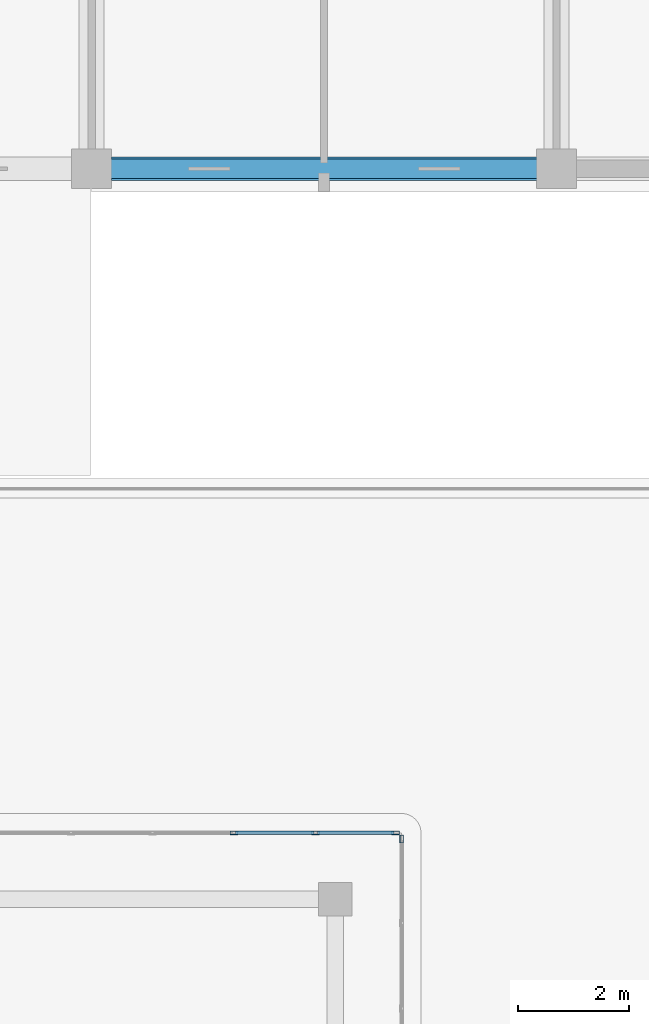
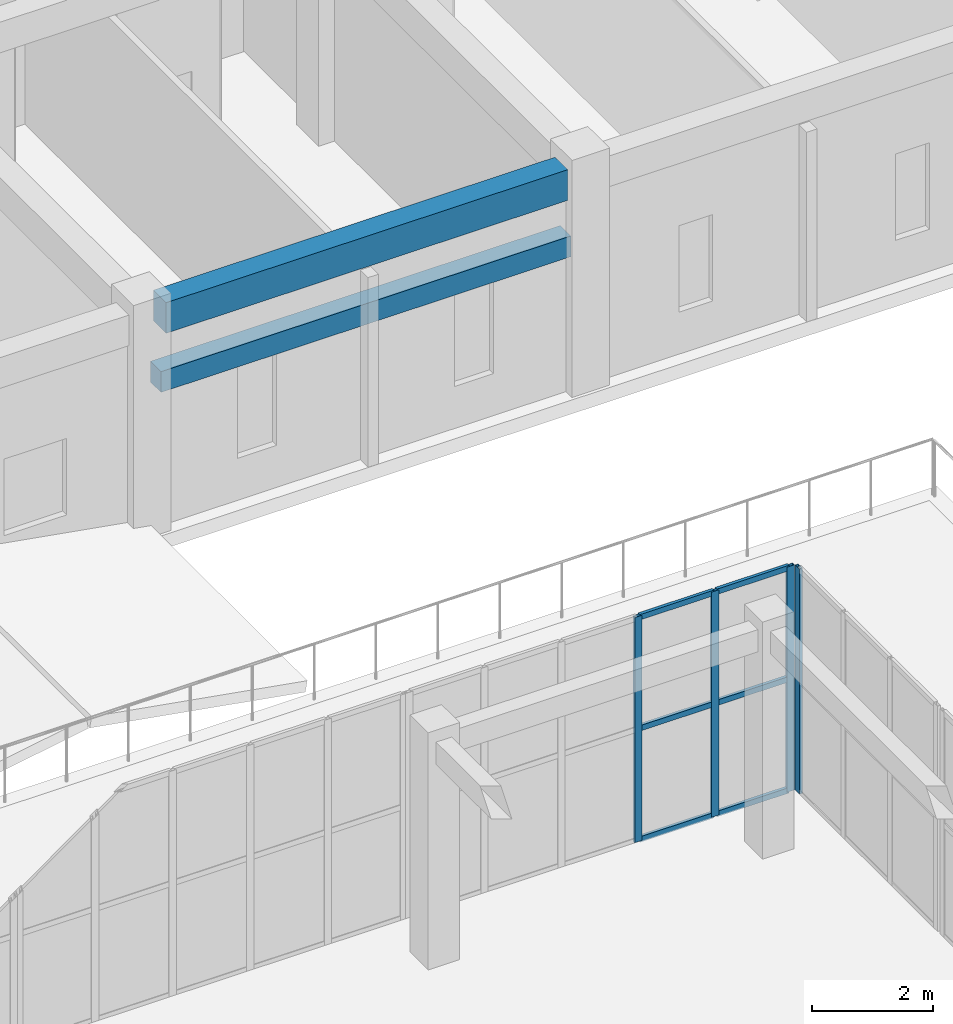
# One storey, part 85 of 158: 10 members, 2 beams, 2 elements without a shape of their own.
"""IFC4 building model written with IfcOpenShell, lengths in metres."""

from ifc_helpers import new_model, si_unit, direction, frame, origin, origin_2d, place, context, subcontext, project, spatial, rectangle, hollow_rectangle, extrude, material, layer, layer_set, material_profile, profile_set, type_object, element, aggregate, save


model = new_model("IFC4")

# Units and contexts
model_context = context("Model", 3, precision=1e-05, world=origin(), true_north=direction((0.0, 1.0)))
body_context = subcontext(model_context, "Body", "Model", "MODEL_VIEW")
ifc_project = project(units=[si_unit("LENGTHUNIT", "METRE"), si_unit("AREAUNIT", "SQUARE_METRE"), si_unit("VOLUMEUNIT", "CUBIC_METRE"), si_unit("PLANEANGLEUNIT", "RADIAN"), si_unit("MASSUNIT", "GRAM", prefix="KILO")], contexts=[model_context])

# Site, building, storey
site_placement = place(None, origin())
site = spatial("IfcSite", under=ifc_project, at=site_placement, CompositionType="ELEMENT")
building_placement = place(site_placement, origin())
building = spatial("IfcBuilding", under=site, at=building_placement, Name="Trelvath General Hospital", CompositionType="ELEMENT")
storey_placement = place(building_placement, frame((0.0, 0.0, 8.10009765625)))
storey = spatial("IfcBuildingStorey", under=building, at=storey_placement, Name="L02", CompositionType="ELEMENT", Elevation=8.10009765625)

# Beam
ifc_material_1 = material(Name="Concrete C35/45", Category="concrete")
ifc_material_profile_1 = material_profile(ifc_material_1, rectangle(XDim=0.419921875, YDim=0.6201171875, at=origin_2d()), Name="RCB420x620")
ifc_profile_set_1 = profile_set([ifc_material_profile_1], Name="Concrete C35/45")
beam_type_1 = type_object("IfcBeamType", Name="Beam RC420x620", PredefinedType="BEAM", material=ifc_profile_set_1)
beam_1_placement = place(storey_placement, frame((109.554931640625, 92.39990234375, 4.2099609375), z_axis=(1.0, 0.0, 0.0), x_axis=(0.0, 1.0, 0.0)))
element("IfcBeam", 1, at=beam_1_placement, inside=storey, type_object=beam_type_1, Name="Grid Beam BX-213L", PredefinedType="BEAM", context=body_context, shape_type="SweptSolid", body=[
    extrude(rectangle(XDim=0.419921875, YDim=0.6201171875, at=origin_2d()), origin(), (0.0, 0.0, 1.0), 7.690185546875),
])

# Curtain wall, members
ifc_material_2 = material(Name="Anodised aluminium and low-E glass", Category="aluminium")
ifc_layer_1 = layer(ifc_material_2, 0.139892578125)
ifc_layer_set_1 = layer_set([ifc_layer_1], Name="Anodised aluminium and low-E glass")
curtain_wall_type_1 = type_object("IfcCurtainWallType", Name="CW CrystalCube 737 456 14", PredefinedType="USERDEFINED", material=ifc_layer_set_1)
curtain_wall_1_placement = place(storey_placement, origin())
curtain_wall_1 = element("IfcCurtainWall", 2, at=curtain_wall_1_placement, inside=storey, type_object=curtain_wall_type_1, Name="Crystal Cube Curtain Wall CUBE-E-T1 N3 L02", ObjectType="Unitised Glazed Curtain Wall", PredefinedType="USERDEFINED")
ifc_material_3 = material(Name="Anodised aluminium", Category="aluminium")
ifc_material_profile_2 = material_profile(ifc_material_3, hollow_rectangle(XDim=0.06005859375, YDim=0.139892578125, WallThickness=0.00390625, at=origin_2d()), Name="RHS60x140x4")
ifc_profile_set_2 = profile_set([ifc_material_profile_2], Name="Anodised aluminium")
member_type_1 = type_object("IfcMemberType", Name="CurtainMullion 60x140", PredefinedType="MULLION", material=ifc_profile_set_2)
member_1_placement = place(storey_placement, frame((111.7734375, 80.39990234375, 0.0), z_axis=(0.0, 0.0, 1.0), x_axis=(0.0, 1.0, 0.0)))
member_1 = element("IfcMember", 3, at=member_1_placement, type_object=member_type_1, Name="CW-210 mullion 4", PredefinedType="MULLION", context=body_context, shape_type="SweptSolid", body=[
    extrude(hollow_rectangle(XDim=0.06005859375, YDim=0.139892578125, WallThickness=0.00390625, at=origin_2d()), origin(), (0.0, 0.0, 1.0), 4.559814453125),
])
member_2_placement = place(storey_placement, frame((113.24658203125, 80.39990234375, 0.0), z_axis=(0.0, 0.0, 1.0), x_axis=(0.0, 1.0, 0.0)))
member_2 = element("IfcMember", 4, at=member_2_placement, type_object=member_type_1, Name="CW-210 mullion 5", PredefinedType="MULLION", context=body_context, shape_type="SweptSolid", body=[
    extrude(hollow_rectangle(XDim=0.06005859375, YDim=0.139892578125, WallThickness=0.00390625, at=origin_2d()), origin(), (0.0, 0.0, 1.0), 4.559814453125),
])
member_3_placement = place(storey_placement, frame((114.68994140625, 80.39990234375, 0.0), z_axis=(0.0, 0.0, 1.0), x_axis=(0.0, 1.0, 0.0)))
member_3 = element("IfcMember", 5, at=member_3_placement, type_object=member_type_1, Name="CW-210 mullion 6", PredefinedType="MULLION", context=body_context, shape_type="SweptSolid", body=[
    extrude(hollow_rectangle(XDim=0.06005859375, YDim=0.139892578125, WallThickness=0.00390625, at=origin_2d()), origin(), (0.0, 0.0, 1.0), 4.559814453125),
])

# Curtain wall, member
ifc_material_4 = material(Name="Anodised aluminium and low-E glass", Category="aluminium")
ifc_layer_2 = layer(ifc_material_4, 0.139892578125)
ifc_layer_set_2 = layer_set([ifc_layer_2], Name="Anodised aluminium and low-E glass")
curtain_wall_type_2 = type_object("IfcCurtainWallType", Name="CW CrystalCube 464 456 14", PredefinedType="USERDEFINED", material=ifc_layer_set_2)
curtain_wall_2_placement = place(storey_placement, origin())
curtain_wall_2 = element("IfcCurtainWall", 6, at=curtain_wall_2_placement, inside=storey, type_object=curtain_wall_type_2, Name="Crystal Cube Curtain Wall CUBE-E-T1 E7 L02", ObjectType="Unitised Glazed Curtain Wall", PredefinedType="USERDEFINED")
member_4_placement = place(storey_placement, frame((114.800048828125, 80.2900390625, 0.0), z_axis=(0.0, 0.0, 1.0), x_axis=(1.0, 0.0, 0.0)))
member_4 = element("IfcMember", 7, at=member_4_placement, type_object=member_type_1, Name="CW-218 mullion 1", PredefinedType="MULLION", context=body_context, shape_type="SweptSolid", body=[
    extrude(hollow_rectangle(XDim=0.06005859375, YDim=0.139892578125, WallThickness=0.00390625, at=origin_2d()), origin(), (0.0, 0.0, 1.0), 4.559814453125),
])
aggregate(curtain_wall_2, [member_4])

# Member
ifc_material_5 = material(Name="Anodised aluminium", Category="aluminium")
ifc_material_profile_3 = material_profile(ifc_material_5, hollow_rectangle(XDim=0.06005859375, YDim=0.110107421875, WallThickness=0.00390625, at=origin_2d()), Name="RHS60x110x4")
ifc_profile_set_3 = profile_set([ifc_material_profile_3], Name="Anodised aluminium")
member_type_2 = type_object("IfcMemberType", Name="CurtainTransom 60x110", PredefinedType="USERDEFINED", material=ifc_profile_set_3)
member_5_placement = place(storey_placement, frame((111.80322265625, 80.39990234375, 0.02978515625), z_axis=(1.0, 0.0, 0.0), x_axis=(0.0, 1.0, 0.0)))
member_5 = element("IfcMember", 8, at=member_5_placement, type_object=member_type_2, Name="CW-210 transom 4.1", ObjectType="TRANSOM", PredefinedType="USERDEFINED", context=body_context, shape_type="SweptSolid", body=[
    extrude(hollow_rectangle(XDim=0.06005859375, YDim=0.110107421875, WallThickness=0.00390625, at=origin_2d()), origin(), (0.0, 0.0, 1.0), 1.413330078125),
])

member_6_placement = place(storey_placement, frame((111.80322265625, 80.39990234375, 2.27978515625), z_axis=(1.0, 0.0, 0.0), x_axis=(0.0, 1.0, 0.0)))
member_6 = element("IfcMember", 9, at=member_6_placement, type_object=member_type_2, Name="CW-210 transom 4.2", ObjectType="TRANSOM", PredefinedType="USERDEFINED", context=body_context, shape_type="SweptSolid", body=[
    extrude(hollow_rectangle(XDim=0.06005859375, YDim=0.110107421875, WallThickness=0.00390625, at=origin_2d()), origin(), (0.0, 0.0, 1.0), 1.413330078125),
])

member_7_placement = place(storey_placement, frame((111.80322265625, 80.39990234375, 4.52978515625), z_axis=(1.0, 0.0, 0.0), x_axis=(0.0, 1.0, 0.0)))
member_7 = element("IfcMember", 10, at=member_7_placement, type_object=member_type_2, Name="CW-210 transom 4.3", ObjectType="TRANSOM", PredefinedType="USERDEFINED", context=body_context, shape_type="SweptSolid", body=[
    extrude(hollow_rectangle(XDim=0.06005859375, YDim=0.110107421875, WallThickness=0.00390625, at=origin_2d()), origin(), (0.0, 0.0, 1.0), 1.413330078125),
])

member_8_placement = place(storey_placement, frame((113.276611328125, 80.39990234375, 0.02978515625), z_axis=(1.0, 0.0, 0.0), x_axis=(0.0, 1.0, 0.0)))
member_8 = element("IfcMember", 11, at=member_8_placement, type_object=member_type_2, Name="CW-210 transom 5.1", ObjectType="TRANSOM", PredefinedType="USERDEFINED", context=body_context, shape_type="SweptSolid", body=[
    extrude(hollow_rectangle(XDim=0.06005859375, YDim=0.110107421875, WallThickness=0.00390625, at=origin_2d()), origin(), (0.0, 0.0, 1.0), 1.38330078125),
])

member_9_placement = place(storey_placement, frame((113.276611328125, 80.39990234375, 2.27978515625), z_axis=(1.0, 0.0, 0.0), x_axis=(0.0, 1.0, 0.0)))
member_9 = element("IfcMember", 12, at=member_9_placement, type_object=member_type_2, Name="CW-210 transom 5.2", ObjectType="TRANSOM", PredefinedType="USERDEFINED", context=body_context, shape_type="SweptSolid", body=[
    extrude(hollow_rectangle(XDim=0.06005859375, YDim=0.110107421875, WallThickness=0.00390625, at=origin_2d()), origin(), (0.0, 0.0, 1.0), 1.38330078125),
])

member_10_placement = place(storey_placement, frame((113.276611328125, 80.39990234375, 4.52978515625), z_axis=(1.0, 0.0, 0.0), x_axis=(0.0, 1.0, 0.0)))
member_10 = element("IfcMember", 13, at=member_10_placement, type_object=member_type_2, Name="CW-210 transom 5.3", ObjectType="TRANSOM", PredefinedType="USERDEFINED", context=body_context, shape_type="SweptSolid", body=[
    extrude(hollow_rectangle(XDim=0.06005859375, YDim=0.110107421875, WallThickness=0.00390625, at=origin_2d()), origin(), (0.0, 0.0, 1.0), 1.38330078125),
])

aggregate(curtain_wall_1, [member_1, member_2, member_3, member_5, member_6, member_7, member_8, member_9, member_10])

# Beam
ifc_material_6 = material(Name="Precast concrete C40/50", Category="concrete")
ifc_material_profile_4 = material_profile(ifc_material_6, rectangle(XDim=0.35009765625, YDim=0.419921875, at=origin_2d()), Name="PCL350x420")
ifc_profile_set_4 = profile_set([ifc_material_profile_4], Name="Precast concrete C40/50")
beam_type_2 = type_object("IfcBeamType", Name="Lintel PC350x420", PredefinedType="LINTEL", material=ifc_profile_set_4)
beam_2_placement = place(storey_placement, frame((117.324951171875, 92.39990234375, 2.919921875), z_axis=(-1.0, 0.0, 0.0), x_axis=(0.0, -1.0, 0.0)))
element("IfcBeam", 14, at=beam_2_placement, inside=storey, type_object=beam_type_2, Name="Precast Window Brow Lintel L02-290", PredefinedType="LINTEL", context=body_context, shape_type="SweptSolid", body=[
    extrude(rectangle(XDim=0.35009765625, YDim=0.419921875, at=origin_2d()), origin(), (0.0, 0.0, 1.0), 7.849853515625),
])

save(model, "model.ifc")
